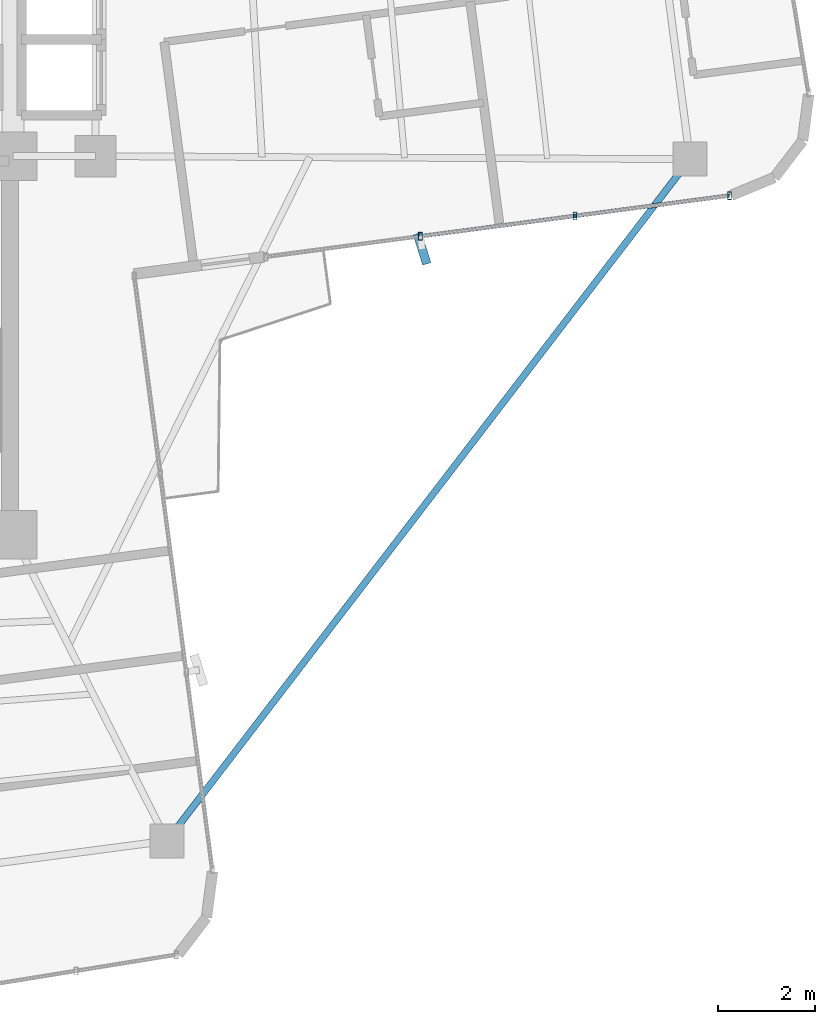
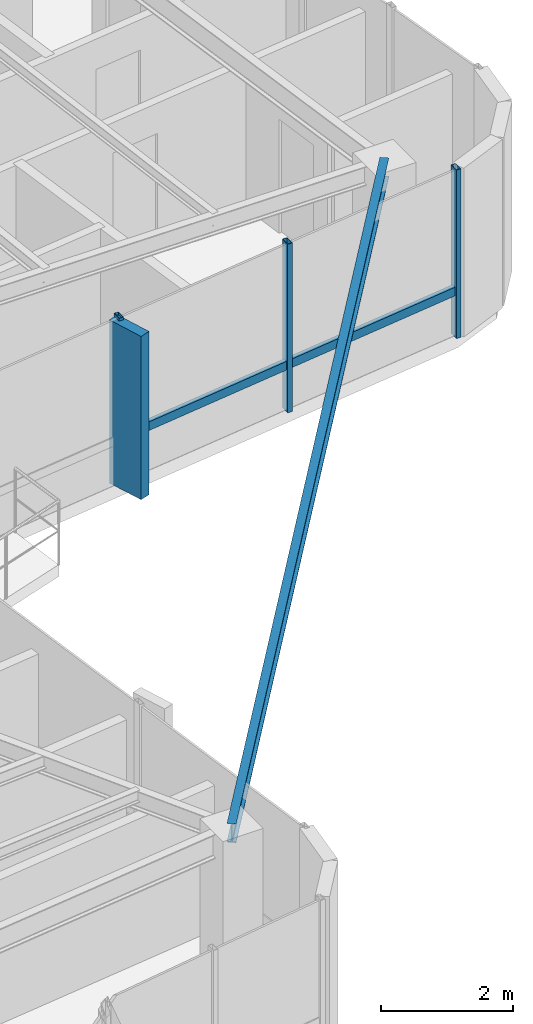
# One storey, part 12 of 23: 6 members, 1 beam, 1 element without a shape of its own.
"""IFC4 building model written with IfcOpenShell, lengths in metres."""

from ifc_helpers import new_model, si_unit, direction, frame, origin, origin_2d, place, context, subcontext, project, spatial, rectangle, hollow_rectangle, i_section, extrude, source, transform, mapped, material, material_profile, profile_set, type_object, element, aggregate, save


model = new_model("IFC4")

# Units and contexts
model_context = context("Model", 3, precision=1e-05, world=origin(), true_north=direction((0.0, 1.0)))
body_context = subcontext(model_context, "Body", "Model", "MODEL_VIEW")
ifc_project = project(units=[si_unit("LENGTHUNIT", "METRE"), si_unit("AREAUNIT", "SQUARE_METRE"), si_unit("VOLUMEUNIT", "CUBIC_METRE"), si_unit("PLANEANGLEUNIT", "RADIAN"), si_unit("MASSUNIT", "GRAM", prefix="KILO")], contexts=[model_context])

# Site, building, storey
site_placement = place(None, origin())
site = spatial("IfcSite", under=ifc_project, at=site_placement, CompositionType="ELEMENT")
building_placement = place(site_placement, origin())
building = spatial("IfcBuilding", under=site, at=building_placement, Name="Sahyath Konkavel Grand Hotel", CompositionType="ELEMENT")
storey_placement = place(building_placement, frame((0.0, 0.0, 251.199951171875)))
storey = spatial("IfcBuildingStorey", under=building, at=storey_placement, Name="L70", CompositionType="ELEMENT", Elevation=251.199951171875)

# Beam
ifc_material_1 = material(Name="Steel E350", Category="steel")
ifc_material_profile_1 = material_profile(ifc_material_1, i_section(OverallWidth=0.139892578125, OverallDepth=0.35009765625, WebThickness=0.008056640625, FlangeThickness=0.01416015625, FilletRadius=0.013916015625, at=origin_2d()), Name="ISMB 350")
ifc_profile_set_1 = profile_set([ifc_material_profile_1], Name="Steel E350")
beam_type = type_object("IfcBeamType", Name="BM-ISMB350", PredefinedType="BEAM", material=ifc_profile_set_1)
shared_shape_1 = source(origin(), body_context, "Body", "SweptSolid", [
    extrude(i_section(OverallWidth=0.139892578125, OverallDepth=0.35009765625, WebThickness=0.008056640625, FlangeThickness=0.01416015625, FilletRadius=0.013916015625, at=origin_2d()), origin(), (0.0, 0.0, 1.0), 17.6904296875),
])
beam_placement = place(storey_placement, frame((17.740234375, -2.46337890625, 2.93505859375), z_axis=(-0.608749906055, -0.793362182031, 0.0), x_axis=(0.793362182031, -0.608749906055, 0.0)))
element("IfcBeam", 1, at=beam_placement, inside=storey, type_object=beam_type, Name="L70 Re-Entrant Tie Beam SE", PredefinedType="BEAM", context=body_context, shape_type="MappedRepresentation", body=[
    mapped(shared_shape_1, transform((0.0, 0.0, 0.0), scale=1.0)),
])

# Curtain wall, members
ifc_material_2 = material(Name="Anodised Bronze Aluminium & Low-E Glazing", Category="aluminium")
curtain_wall_type = type_object("IfcCurtainWallType", Name="CW-ZONE4", PredefinedType="NOTDEFINED", material=ifc_material_2)
curtain_wall_placement = place(storey_placement, origin())
curtain_wall = element("IfcCurtainWall", 2, at=curtain_wall_placement, inside=storey, type_object=curtain_wall_type, Name="L70 Unitised Curtain Wall F0", PredefinedType="NOTDEFINED")
ifc_material_3 = material(Name="Warm Buff Sandstone Cladding on Concrete C50/60", Category="masonry")
ifc_material_profile_2 = material_profile(ifc_material_3, rectangle(XDim=0.179931640625, YDim=0.64990234375, at=origin_2d()), Name="FIN 180x650")
ifc_profile_set_2 = profile_set([ifc_material_profile_2], Name="Warm Buff Sandstone Cladding on Concrete C50/60")
member_type_1 = type_object("IfcMemberType", Name="FIN-SANDSTONE-650", PredefinedType="MULLION", material=ifc_profile_set_2)
shared_shape_2 = source(origin(), body_context, "Body", "SweptSolid", [
    extrude(rectangle(XDim=0.179931640625, YDim=0.64990234375, at=origin_2d()), origin(), (0.0, 0.0, 1.0), 3.010009765625),
])
member_1_placement = place(storey_placement, frame((12.224609375, -4.30908203125, 0.050048828125), z_axis=(0.0, 0.0, 1.0), x_axis=(0.953716950748, 0.300705799504, 0.0)))
member_1 = element("IfcMember", 3, at=member_1_placement, type_object=member_type_1, Name="L70 Sandstone Vertical Solar Fin FIN F0-1", PredefinedType="MULLION", context=body_context, shape_type="MappedRepresentation", body=[
    mapped(shared_shape_2, transform((0.0, 0.0, 0.0), scale=1.0)),
])
ifc_material_4 = material(Name="Anodised Bronze Aluminium", Category="aluminium")
ifc_material_profile_3 = material_profile(ifc_material_4, hollow_rectangle(XDim=0.080078125, YDim=0.159912109375, WallThickness=0.006103515625, at=origin_2d()), Name="RHS 160x80x6")
ifc_profile_set_3 = profile_set([ifc_material_profile_3], Name="Anodised Bronze Aluminium")
member_type_2 = type_object("IfcMemberType", Name="CW-MUL-160", PredefinedType="MULLION", material=ifc_profile_set_3)
shared_shape_3 = source(origin(), body_context, "Body", "SweptSolid", [
    extrude(hollow_rectangle(XDim=0.080078125, YDim=0.159912109375, WallThickness=0.006103515625, at=origin_2d()), origin(), (0.0, 0.0, 1.0), 3.110107421875),
])
member_2_placement = place(storey_placement, frame((12.19091796875, -4.051513671875, 0.0), z_axis=(0.0, 0.0, 1.0), x_axis=(1.0, 0.0, 0.0)))
member_2 = element("IfcMember", 4, at=member_2_placement, type_object=member_type_2, Name="L70 Curtain Wall Mullion F0-1", PredefinedType="MULLION", context=body_context, shape_type="MappedRepresentation", body=[
    mapped(shared_shape_3, transform((0.0, 0.0, 0.0), scale=1.0)),
])
member_3_placement = place(storey_placement, frame((15.373046875, -3.632568359375, 0.0), z_axis=(0.0, 0.0, 1.0), x_axis=(1.0, 0.0, 0.0)))
member_3 = element("IfcMember", 5, at=member_3_placement, type_object=member_type_2, Name="L70 Curtain Wall Mullion F0-2", PredefinedType="MULLION", context=body_context, shape_type="MappedRepresentation", body=[
    mapped(shared_shape_3, transform((0.0, 0.0, 0.0), scale=1.0)),
])
member_4_placement = place(storey_placement, frame((18.55517578125, -3.21337890625, 0.0), z_axis=(0.0, 0.0, 1.0), x_axis=(1.0, 0.0, 0.0)))
member_4 = element("IfcMember", 6, at=member_4_placement, type_object=member_type_2, Name="L70 Curtain Wall Mullion F0-3", PredefinedType="MULLION", context=body_context, shape_type="MappedRepresentation", body=[
    mapped(shared_shape_3, transform((0.0, 0.0, 0.0), scale=1.0)),
])
ifc_material_profile_4 = material_profile(ifc_material_4, hollow_rectangle(XDim=0.080078125, YDim=0.159912109375, WallThickness=0.006103515625, at=origin_2d()), Name="RHS 160x80x6")
ifc_profile_set_4 = profile_set([ifc_material_profile_4], Name="Anodised Bronze Aluminium")
member_type_3 = type_object("IfcMemberType", Name="CW-TRN-160", PredefinedType="USERDEFINED", material=ifc_profile_set_4)
shared_shape_4 = source(origin(), body_context, "Body", "SweptSolid", [
    extrude(hollow_rectangle(XDim=0.080078125, YDim=0.159912109375, WallThickness=0.006103515625, at=origin_2d()), origin(), (0.0, 0.0, 1.0), 3.209716796875),
])
member_5_placement = place(storey_placement, frame((15.373046875, -3.632568359375, 0.85009765625), z_axis=(0.991434607751, 0.130604052594, 0.0), x_axis=(-0.130604052594, 0.991434607751, 0.0)))
member_5 = element("IfcMember", 7, at=member_5_placement, type_object=member_type_3, Name="L70 Curtain Wall Transom F0-2-spandrel", ObjectType="TRANSOM", PredefinedType="USERDEFINED", context=body_context, shape_type="MappedRepresentation", body=[
    mapped(shared_shape_4, transform((0.0, 0.0, 0.0), scale=1.0)),
])
shared_shape_5 = source(origin(), body_context, "Body", "SweptSolid", [
    extrude(hollow_rectangle(XDim=0.080078125, YDim=0.159912109375, WallThickness=0.006103515625, at=origin_2d()), origin(), (0.0, 0.0, 1.0), 3.20947265625),
])
member_6_placement = place(storey_placement, frame((12.19091796875, -4.051513671875, 0.85009765625), z_axis=(0.991444454368, 0.130529283696, 0.0), x_axis=(-0.130529283696, 0.991444454368, 0.0)))
member_6 = element("IfcMember", 8, at=member_6_placement, type_object=member_type_3, Name="L70 Curtain Wall Transom F0-1-spandrel", ObjectType="TRANSOM", PredefinedType="USERDEFINED", context=body_context, shape_type="MappedRepresentation", body=[
    mapped(shared_shape_5, transform((0.0, 0.0, 0.0), scale=1.0)),
])
aggregate(curtain_wall, [member_2, member_1, member_3, member_4, member_6, member_5])

save(model, "model.ifc")
